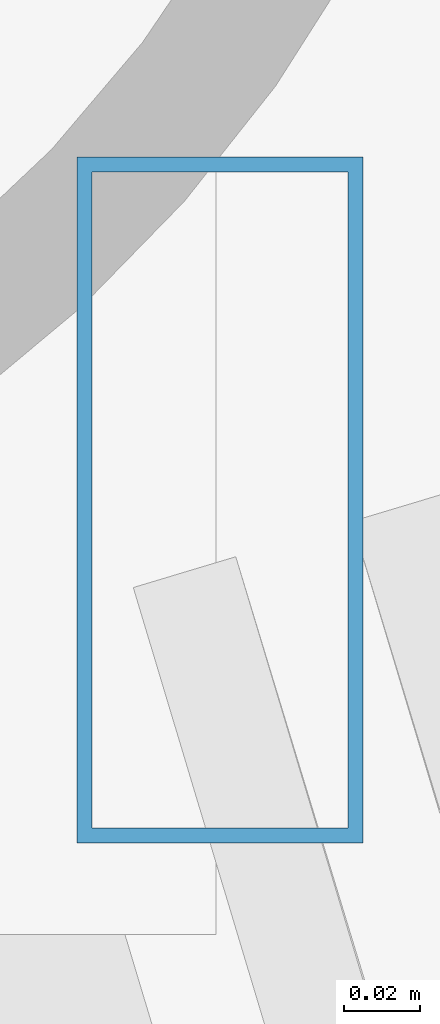
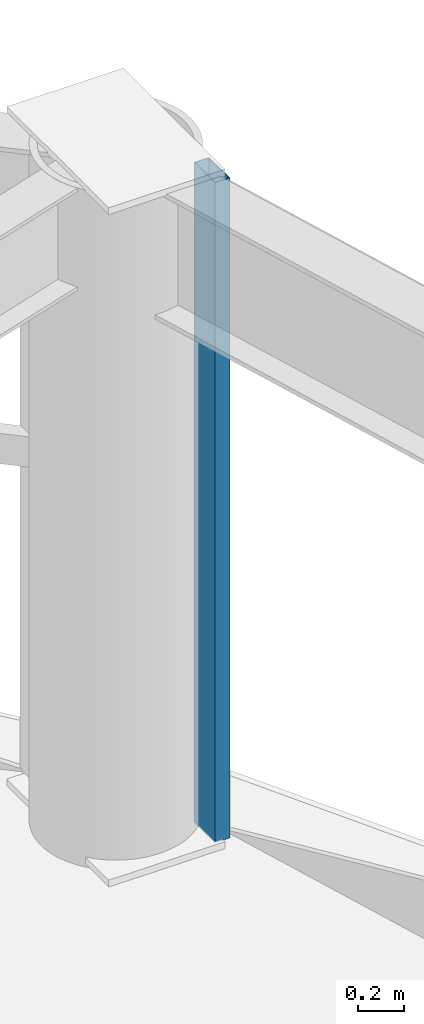
# One storey, part 22 of 32: 1 member, 1 element without a shape of its own.
"""IFC4 building model written with IfcOpenShell, lengths in metres."""

from ifc_helpers import new_model, si_unit, direction, frame, origin, origin_2d, place, context, subcontext, project, spatial, hollow_rectangle, extrude, material, layer, layer_set, material_profile, profile_set, type_object, element, aggregate, save


model = new_model("IFC4")

# Units and contexts
model_context = context("Model", 3, precision=1e-05, world=origin(), true_north=direction((0.0, 1.0)))
body_context = subcontext(model_context, "Body", "Model", "MODEL_VIEW")
ifc_project = project(units=[si_unit("LENGTHUNIT", "METRE"), si_unit("AREAUNIT", "SQUARE_METRE"), si_unit("VOLUMEUNIT", "CUBIC_METRE"), si_unit("PLANEANGLEUNIT", "RADIAN"), si_unit("MASSUNIT", "GRAM", prefix="KILO")], contexts=[model_context])

# Site, building, storey
site_placement = place(None, origin())
site = spatial("IfcSite", under=ifc_project, at=site_placement, CompositionType="ELEMENT")
building_placement = place(site_placement, origin())
building = spatial("IfcBuilding", under=site, at=building_placement, Name="Vantalir Tower", CompositionType="ELEMENT")
storey_placement = place(building_placement, frame((0.0, 0.0, 108.449951171875)))
storey = spatial("IfcBuildingStorey", under=building, at=storey_placement, Name="L26", CompositionType="ELEMENT", Elevation=108.449951171875)

# Curtain wall, member
ifc_material_1 = material(Name="Champagne-silver PVDF aluminium and double-silver Low-E glass", Category="aluminium")
ifc_layer = layer(ifc_material_1, 0.199951171875)
ifc_layer_set = layer_set([ifc_layer], Name="Champagne-silver PVDF aluminium and double-silver Low-E glass")
curtain_wall_type = type_object("IfcCurtainWallType", Name="CW-DIAMOND-Z2", PredefinedType="USERDEFINED", material=ifc_layer_set)
curtain_wall_placement = place(storey_placement, origin())
curtain_wall = element("IfcCurtainWall", 1, at=curtain_wall_placement, inside=storey, type_object=curtain_wall_type, Name="L26 Quilted Pyramid-Diamond Curtain Wall S01", ObjectType="UNITISED CURTAIN WALL", PredefinedType="USERDEFINED")
ifc_material_2 = material(Name="Champagne-silver PVDF aluminium 6063-T6", Category="aluminium")
ifc_material_profile = material_profile(ifc_material_2, hollow_rectangle(XDim=0.074951171875, YDim=0.179931640625, WallThickness=0.00390625, at=origin_2d()), Name="Champagne-silver PVDF aluminium 6063-T6")
ifc_profile_set = profile_set([ifc_material_profile], Name="Champagne-silver PVDF aluminium 6063-T6")
member_type = type_object("IfcMemberType", Name="CWM-180x75", PredefinedType="MULLION", material=ifc_profile_set)
member_placement = place(storey_placement, frame((53.950927734375, 36.068115234375, 0.045166015625), z_axis=(0.0, 0.0, 1.0), x_axis=(1.0, 0.0, 0.0)))
member = element("IfcMember", 2, at=member_placement, type_object=member_type, Name="CW-L26-S01 Mullion 2", PredefinedType="MULLION", context=body_context, shape_type="SweptSolid", body=[
    extrude(hollow_rectangle(XDim=0.074951171875, YDim=0.179931640625, WallThickness=0.00390625, at=origin_2d()), origin(), (0.0, 0.0, 1.0), 3.47998046875),
])
aggregate(curtain_wall, [member])

save(model, "model.ifc")
